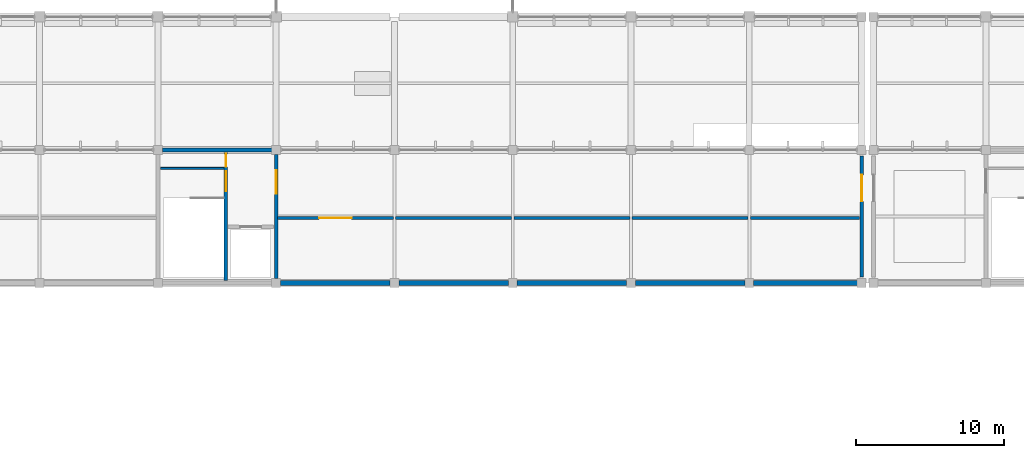
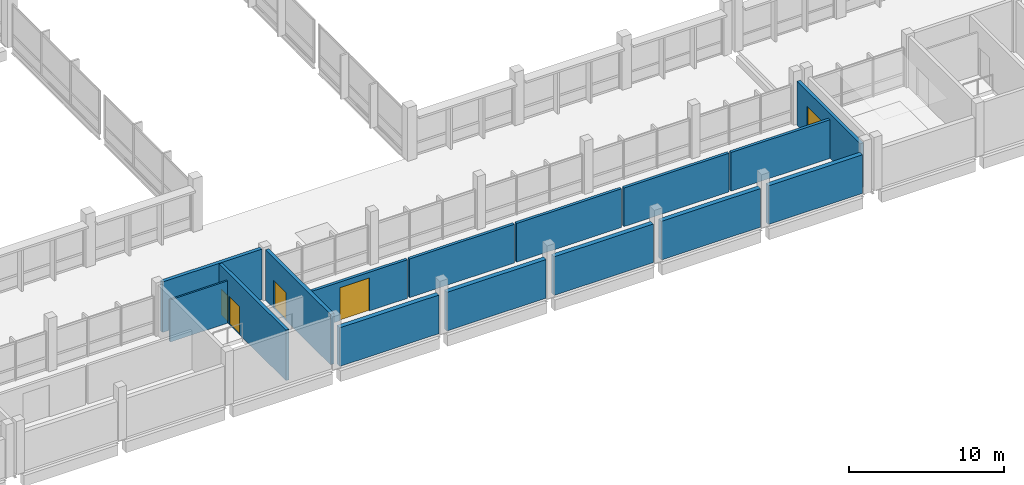
# One storey, part 57 of 70: 15 walls, 5 doors, 5 openings.
"""IFC4 building model written with IfcOpenShell, lengths in metres."""

from ifc_helpers import new_model, si_unit, direction, frame, frame_2d, origin, place, context, subcontext, project, spatial, rectangle, extrude, material, layer, layer_set, type_object, element, fill, save


model = new_model("IFC4")

# Units and contexts
model_context = context("Model", 3, precision=1e-05, world=origin(), true_north=direction((0.0, 1.0)))
body_context = subcontext(model_context, "Body", "Model", "MODEL_VIEW")
ifc_project = project(units=[si_unit("LENGTHUNIT", "METRE"), si_unit("AREAUNIT", "SQUARE_METRE"), si_unit("VOLUMEUNIT", "CUBIC_METRE"), si_unit("PLANEANGLEUNIT", "RADIAN"), si_unit("MASSUNIT", "GRAM", prefix="KILO"), si_unit("THERMODYNAMICTEMPERATUREUNIT", "KELVIN"), si_unit("POWERUNIT", "WATT")], contexts=[model_context])

# Site, building, storey
site_placement = place(None, origin())
site = spatial("IfcSite", under=ifc_project, at=site_placement, CompositionType="ELEMENT")
building_placement = place(site_placement, origin())
building = spatial("IfcBuilding", under=site, at=building_placement, Name="Kronsvod Quay Wholesale Market", CompositionType="ELEMENT")
storey_placement = place(building_placement, frame((0.0, 0.0, 9.0)))
storey = spatial("IfcBuildingStorey", under=building, at=storey_placement, Name="L02", CompositionType="ELEMENT", Elevation=9.0)

# Wall, opening, door
ifc_material_1 = material(Name="Polyisocyanurate insulated cold-room panel")
ifc_layer_1 = layer(ifc_material_1, 0.2099609375)
ifc_layer_set_1 = layer_set([ifc_layer_1], Name="Polyisocyanurate insulated cold-room panel")
wall_type_1 = type_object("IfcWallType", Name="Wall_ColdInsul210", PredefinedType="PARTITIONING", material=ifc_layer_set_1)
wall_1_placement = place(storey_placement, frame((88.080078125, 40.39990234375, 0.0), z_axis=(0.0, 0.0, 1.0), x_axis=(1.0, 0.0, 0.0)))
wall_1 = element("IfcWall", 1, at=wall_1_placement, inside=storey, type_object=wall_type_1, Name="PW-L02-0024", PredefinedType="PARTITIONING", context=body_context, shape_type="SweptSolid", body=[
    extrude(rectangle(XDim=7.83984375, YDim=0.2099609375, at=frame_2d((3.919921875, 0.0))), origin(), (0.0, 0.0, 1.0), 3.050048828125),
])
opening_1_placement = place(wall_1_placement, frame((2.820068359375, 0.0, 0.0)))
opening_1 = element("IfcOpeningElement", 2, at=opening_1_placement, cuts=wall_1, Name="Opening D-0282", PredefinedType="OPENING", context=body_context, shape_type="SweptSolid", body=[
    extrude(rectangle(XDim=2.199951171875, YDim=2.60009765625, at=frame_2d((1.10009765625, 1.300048828125))), frame((0.0, 0.114990234375, 0.0), z_axis=(0.0, -1.0, 0.0), x_axis=(1.0, 0.0, 0.0)), (0.0, 0.0, 1.0), 0.22998046875),
])
ifc_material_2 = material(Name="Insulated stainless cold-store door", Category="steel")
door_type_1 = type_object("IfcDoorType", Name="Door_ColdSlide220x260", OperationType="SLIDING_TO_LEFT", PredefinedType="DOOR", material=ifc_material_2)
door_1_placement = place(opening_1_placement, origin())
door_1 = element("IfcDoor", 3, at=door_1_placement, inside=storey, type_object=door_type_1, Name="Interior Door D-0282", OperationType="SLIDING_TO_LEFT", OverallHeight=2.60009765625, OverallWidth=2.199951171875, PredefinedType="DOOR", context=body_context, shape_type="SweptSolid", body=[
    extrude(rectangle(XDim=2.199951171875, YDim=2.60009765625, at=frame_2d((1.10009765625, 1.300048828125))), frame((0.0, 0.02490234375, 0.0), z_axis=(0.0, -1.0, 0.0), x_axis=(1.0, 0.0, 0.0)), (0.0, 0.0, 1.0), 0.050048828125),
])
fill(opening_1, door_1)

# Walls
for number, where, z_axis, x_axis, name in (
    (4, (96.080078125, 40.39990234375, 0.0), (0.0, 0.0, 1.0), (1.0, 0.0, 0.0), "PW-L02-0025"),
    (5, (104.080078125, 40.39990234375, 0.0), (0.0, 0.0, 1.0), (1.0, 0.0, 0.0), "PW-L02-0026"),
    (6, (112.080078125, 40.39990234375, 0.0), (0.0, 0.0, 1.0), (1.0, 0.0, 0.0), "PW-L02-0027"),
):
    element("IfcWall", number, at=place(storey_placement, frame(where, z_axis=z_axis, x_axis=x_axis)), inside=storey, type_object=wall_type_1, Name=name, PredefinedType="PARTITIONING", context=body_context, shape_type="SweptSolid", body=[
        extrude(rectangle(XDim=7.83984375, YDim=0.2099609375, at=frame_2d((3.919921875, 0.0))), origin(), (0.0, 0.0, 1.0), 3.050048828125),
    ])
wall_2_placement = place(storey_placement, frame((120.080078125, 40.39990234375, 0.0), z_axis=(0.0, 0.0, 1.0), x_axis=(1.0, 0.0, 0.0)))
element("IfcWall", 7, at=wall_2_placement, inside=storey, type_object=wall_type_1, Name="PW-L02-0028", PredefinedType="PARTITIONING", context=body_context, shape_type="SweptSolid", body=[
    extrude(rectangle(XDim=7.3798828125, YDim=0.2099609375, at=frame_2d((3.68994140625, 0.0))), origin(), (0.0, 0.0, 1.0), 3.050048828125),
])
ifc_material_3 = material(Name="Concrete C35/45", Category="concrete")
ifc_layer_2 = layer(ifc_material_3, 0.260009765625)
ifc_layer_set_2 = layer_set([ifc_layer_2], Name="Concrete C35/45")
wall_type_2 = type_object("IfcWallType", Name="Wall_CoreShear260", PredefinedType="SHEAR", material=ifc_layer_set_2)
wall_3_placement = place(storey_placement, frame((80.294921875, 45.0, 0.0), z_axis=(0.0, 0.0, 1.0), x_axis=(1.0, 0.0, 0.0)))
element("IfcWall", 8, at=wall_3_placement, inside=storey, type_object=wall_type_2, Name="CW-C04-L02-N", PredefinedType="SHEAR", context=body_context, shape_type="SweptSolid", body=[
    extrude(rectangle(XDim=7.41015625, YDim=0.260009765625, at=frame_2d((3.705078125, 0.0))), origin(), (0.0, 0.0, 1.0), 3.985107421875),
])

# Wall, opening, door
wall_4_placement = place(storey_placement, frame((88.0, 36.294921875, 0.0), z_axis=(0.0, 0.0, 1.0), x_axis=(0.0, 1.0, 0.0)))
wall_4 = element("IfcWall", 9, at=wall_4_placement, inside=storey, type_object=wall_type_2, Name="CW-C04-L02-E", PredefinedType="SHEAR", context=body_context, shape_type="SweptSolid", body=[
    extrude(rectangle(XDim=8.41015625, YDim=0.260009765625, at=frame_2d((4.205078125, 0.0))), origin(), (0.0, 0.0, 1.0), 3.985107421875),
])
opening_2_placement = place(wall_4_placement, frame((5.75, 0.0, 0.0)))
opening_2 = element("IfcOpeningElement", 10, at=opening_2_placement, cuts=wall_4, Name="Opening D-0043", PredefinedType="OPENING", context=body_context, shape_type="SweptSolid", body=[
    extrude(rectangle(XDim=1.60009765625, YDim=2.199951171875, at=frame_2d((0.800048828125, 1.10009765625))), frame((0.0, 0.14013671875, 0.0), z_axis=(0.0, -1.0, 0.0), x_axis=(1.0, 0.0, 0.0)), (0.0, 0.0, 1.0), 0.280029296875),
])
ifc_material_4 = material(Name="Painted galvanized fire steel", Category="steel")
door_type_2 = type_object("IfcDoorType", Name="Door_FireLobby160x220", OperationType="DOUBLE_DOOR_SINGLE_SWING", PredefinedType="DOOR", material=ifc_material_4)
door_2_placement = place(opening_2_placement, origin())
door_2 = element("IfcDoor", 11, at=door_2_placement, inside=storey, type_object=door_type_2, Name="Core Lobby Door D-0043", OperationType="DOUBLE_DOOR_SINGLE_SWING", OverallHeight=2.199951171875, OverallWidth=1.60009765625, PredefinedType="DOOR", context=body_context, shape_type="SweptSolid", body=[
    extrude(rectangle(XDim=1.60009765625, YDim=2.199951171875, at=frame_2d((0.800048828125, 1.10009765625))), frame((0.0, 0.02490234375, 0.0), z_axis=(0.0, -1.0, 0.0), x_axis=(1.0, 0.0, 0.0)), (0.0, 0.0, 1.0), 0.050048828125),
])
fill(opening_2, door_2)

# Walls
ifc_material_5 = material(Name="Precast concrete C40/50", Category="concrete")
ifc_layer_3 = layer(ifc_material_5, 0.340087890625)
ifc_layer_set_3 = layer_set([ifc_layer_3], Name="Precast concrete C40/50")
wall_type_3 = type_object("IfcWallType", Name="Wall_ExtColdSandwich340", PredefinedType="SOLIDWALL", material=ifc_layer_set_3)
for number, where, z_axis, x_axis, name in (
    (12, (88.294921875, 36.0, 0.0), (0.0, 0.0, 1.0), (1.0, 0.0, 0.0), "EW-X-L02-0175"),
    (13, (96.294921875, 36.0, 0.0), (0.0, 0.0, 1.0), (1.0, 0.0, 0.0), "EW-X-L02-0176"),
    (14, (104.294921875, 36.0, 0.0), (0.0, 0.0, 1.0), (1.0, 0.0, 0.0), "EW-X-L02-0177"),
    (15, (112.294921875, 36.0, 0.0), (0.0, 0.0, 1.0), (1.0, 0.0, 0.0), "EW-X-L02-0178"),
):
    element("IfcWall", number, at=place(storey_placement, frame(where, z_axis=z_axis, x_axis=x_axis)), inside=storey, type_object=wall_type_3, Name=name, PredefinedType="SOLIDWALL", context=body_context, shape_type="SweptSolid", body=[
        extrude(rectangle(XDim=7.41015625, YDim=0.340087890625, at=frame_2d((3.705078125, 0.0))), origin(), (0.0, 0.0, 1.0), 3.050048828125),
    ])
wall_5_placement = place(storey_placement, frame((120.294921875, 36.0, 0.0), z_axis=(0.0, 0.0, 1.0), x_axis=(1.0, 0.0, 0.0)))
element("IfcWall", 16, at=wall_5_placement, inside=storey, type_object=wall_type_3, Name="EW-X-L02-0179", PredefinedType="SOLIDWALL", context=body_context, shape_type="SweptSolid", body=[
    extrude(rectangle(XDim=7.010009765625, YDim=0.340087890625, at=frame_2d((3.5048828125, 0.0))), origin(), (0.0, 0.0, 1.0), 3.050048828125),
])

# Wall, opening, door
ifc_material_6 = material(Name="Precast concrete C40/50", Category="concrete")
ifc_layer_4 = layer(ifc_material_6, 0.239990234375)
ifc_layer_set_4 = layer_set([ifc_layer_4], Name="Precast concrete C40/50")
wall_type_4 = type_object("IfcWallType", Name="Wall_ExtSpandrel240", PredefinedType="SOLIDWALL", material=ifc_layer_set_4)
wall_6_placement = place(storey_placement, frame((127.60009765625, 36.419921875, 0.0), z_axis=(0.0, 0.0, 1.0), x_axis=(0.0, 1.0, 0.0)))
wall_6 = element("IfcWall", 17, at=wall_6_placement, inside=storey, type_object=wall_type_4, Name="MJWG-L02-1276-360", PredefinedType="SOLIDWALL", context=body_context, shape_type="SweptSolid", body=[
    extrude(rectangle(XDim=8.16015625, YDim=0.239990234375, at=frame_2d((4.080078125, 0.0))), origin(), (0.0, 0.0, 1.0), 3.489990234375),
])
opening_3_placement = place(wall_6_placement, frame((5.10009765625, 0.0, 0.0)))
opening_3 = element("IfcOpeningElement", 18, at=opening_3_placement, cuts=wall_6, Name="Opening D-0382", PredefinedType="OPENING", context=body_context, shape_type="SweptSolid", body=[
    extrude(rectangle(XDim=1.800048828125, YDim=2.300048828125, at=frame_2d((0.89990234375, 1.14990234375))), frame((0.0, 0.1298828125, 0.0), z_axis=(0.0, -1.0, 0.0), x_axis=(1.0, 0.0, 0.0)), (0.0, 0.0, 1.0), 0.260009765625),
])
ifc_material_7 = material(Name="Painted galvanized fire steel", Category="steel")
door_type_3 = type_object("IfcDoorType", Name="Door_FireComp180x230", OperationType="DOUBLE_DOOR_SINGLE_SWING", PredefinedType="DOOR", material=ifc_material_7)
door_3_placement = place(opening_3_placement, origin())
door_3 = element("IfcDoor", 19, at=door_3_placement, inside=storey, type_object=door_type_3, Name="Fire Compartment Door D-0382", OperationType="DOUBLE_DOOR_SINGLE_SWING", OverallHeight=2.300048828125, OverallWidth=1.800048828125, PredefinedType="DOOR", context=body_context, shape_type="SweptSolid", body=[
    extrude(rectangle(XDim=1.800048828125, YDim=2.300048828125, at=frame_2d((0.89990234375, 1.14990234375))), frame((0.0, 0.02490234375, 0.0), z_axis=(0.0, -1.0, 0.0), x_axis=(1.0, 0.0, 0.0)), (0.0, 0.0, 1.0), 0.050048828125),
])
fill(opening_3, door_3)

# Wall
ifc_material_8 = material(Name="Fire-rated shaft riser block wall", Category="masonry")
ifc_layer_5 = layer(ifc_material_8, 0.1298828125)
ifc_layer_set_5 = layer_set([ifc_layer_5], Name="Fire-rated shaft riser block wall")
wall_type_5 = type_object("IfcWallType", Name="Wall_PartRiser130", PredefinedType="PARTITIONING", material=ifc_layer_set_5)
wall_7_placement = place(storey_placement, frame((80.179931640625, 43.75, 0.0), z_axis=(0.0, 0.0, 1.0), x_axis=(1.0, 0.0, 0.0)))
element("IfcWall", 20, at=wall_7_placement, inside=storey, type_object=wall_type_5, Name="CW-C04-L02-RSR", PredefinedType="PARTITIONING", context=body_context, shape_type="SweptSolid", body=[
    extrude(rectangle(XDim=4.280029296875, YDim=0.1298828125, at=frame_2d((2.14013671875, 0.0))), origin(), (0.0, 0.0, 1.0), 3.3349609375),
])

# Wall, openings, doors
ifc_material_9 = material(Name="Concrete C35/45", Category="concrete")
ifc_layer_6 = layer(ifc_material_9, 0.239990234375)
ifc_layer_set_6 = layer_set([ifc_layer_6], Name="Concrete C35/45")
wall_type_6 = type_object("IfcWallType", Name="Wall_ShaftWall240", PredefinedType="SHEAR", material=ifc_layer_set_6)
wall_8_placement = place(storey_placement, frame((84.60009765625, 36.179931640625, 0.0), z_axis=(0.0, 0.0, 1.0), x_axis=(0.0, 1.0, 0.0)))
wall_8 = element("IfcWall", 21, at=wall_8_placement, inside=storey, type_object=wall_type_6, Name="CW-C04-L02-DIV", PredefinedType="SHEAR", context=body_context, shape_type="SweptSolid", body=[
    extrude(rectangle(XDim=8.64013671875, YDim=0.239990234375, at=frame_2d((4.320068359375, 0.0))), origin(), (0.0, 0.0, 1.0), 3.985107421875),
])
opening_4_placement = place(wall_8_placement, frame((6.02001953125, 0.0, 0.0)))
opening_4 = element("IfcOpeningElement", 22, at=opening_4_placement, cuts=wall_8, Name="Opening D-0041", PredefinedType="OPENING", context=body_context, shape_type="SweptSolid", body=[
    extrude(rectangle(XDim=1.35009765625, YDim=2.199951171875, at=frame_2d((0.675048828125, 1.10009765625))), frame((0.0, 0.1298828125, 0.0), z_axis=(0.0, -1.0, 0.0), x_axis=(1.0, 0.0, 0.0)), (0.0, 0.0, 1.0), 0.260009765625),
])
opening_5_placement = place(wall_8_placement, frame((7.679931640625, 0.0, 0.0)))
opening_5 = element("IfcOpeningElement", 23, at=opening_5_placement, cuts=wall_8, Name="Opening D-0042", PredefinedType="OPENING", context=body_context, shape_type="SweptSolid", body=[
    extrude(rectangle(XDim=0.8798828125, YDim=2.02001953125, at=frame_2d((0.43994140625, 1.010009765625))), frame((0.0, 0.1298828125, 0.0), z_axis=(0.0, -1.0, 0.0), x_axis=(1.0, 0.0, 0.0)), (0.0, 0.0, 1.0), 0.260009765625),
])
ifc_material_10 = material(Name="Painted galvanized fire steel", Category="steel")
door_type_4 = type_object("IfcDoorType", Name="Door_FireStair135x220", OperationType="NOTDEFINED", PredefinedType="DOOR", material=ifc_material_10)
door_4_placement = place(opening_4_placement, origin())
door_4 = element("IfcDoor", 24, at=door_4_placement, inside=storey, type_object=door_type_4, Name="Stair Fire Door D-0041", OperationType="SINGLE_SWING_LEFT", OverallHeight=2.199951171875, OverallWidth=1.35009765625, PredefinedType="DOOR", context=body_context, shape_type="SweptSolid", body=[
    extrude(rectangle(XDim=1.35009765625, YDim=2.199951171875, at=frame_2d((0.675048828125, 1.10009765625))), frame((0.0, 0.02490234375, 0.0), z_axis=(0.0, -1.0, 0.0), x_axis=(1.0, 0.0, 0.0)), (0.0, 0.0, 1.0), 0.050048828125),
])
fill(opening_4, door_4)
ifc_material_11 = material(Name="Fire-rated steel riser access door", Category="steel")
door_type_5 = type_object("IfcDoorType", Name="Door_Riser88x202", OperationType="NOTDEFINED", PredefinedType="DOOR", material=ifc_material_11)
door_5_placement = place(opening_5_placement, origin())
door_5 = element("IfcDoor", 25, at=door_5_placement, inside=storey, type_object=door_type_5, Name="Service Riser Door D-0042", OperationType="SINGLE_SWING_RIGHT", OverallHeight=2.02001953125, OverallWidth=0.8798828125, PredefinedType="DOOR", context=body_context, shape_type="SweptSolid", body=[
    extrude(rectangle(XDim=0.8798828125, YDim=2.02001953125, at=frame_2d((0.43994140625, 1.010009765625))), frame((0.0, 0.02490234375, 0.0), z_axis=(0.0, -1.0, 0.0), x_axis=(1.0, 0.0, 0.0)), (0.0, 0.0, 1.0), 0.050048828125),
])
fill(opening_5, door_5)

save(model, "model.ifc")
